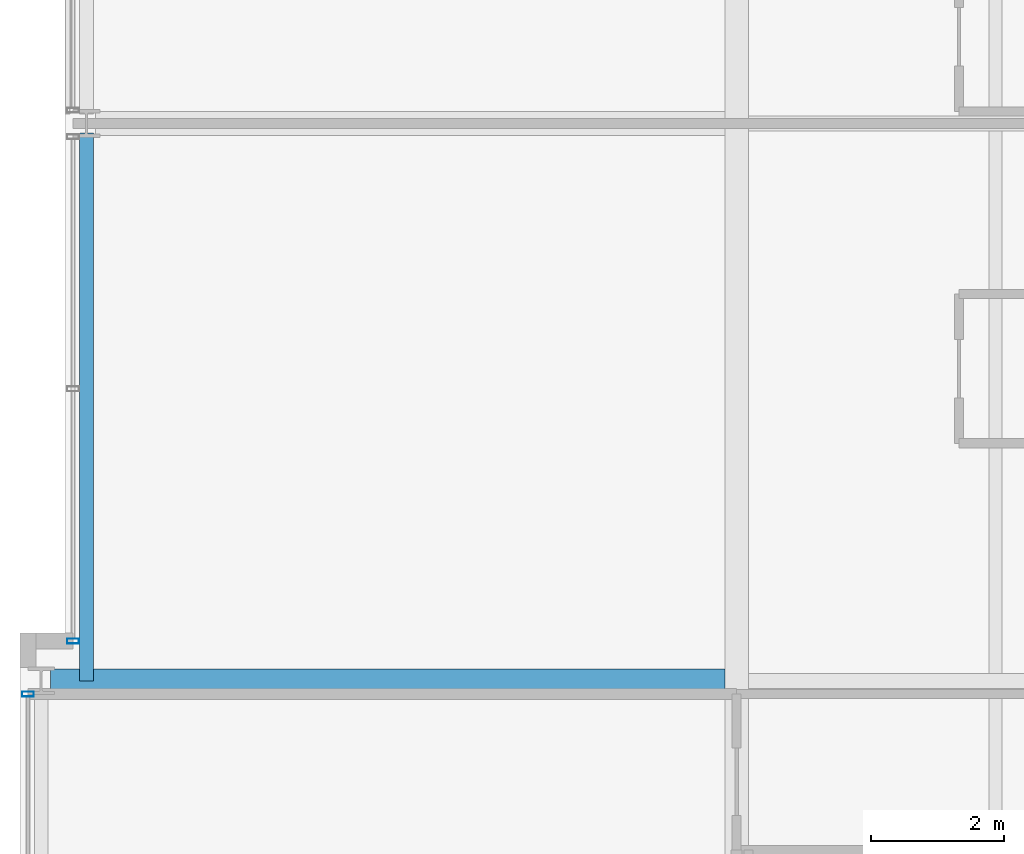
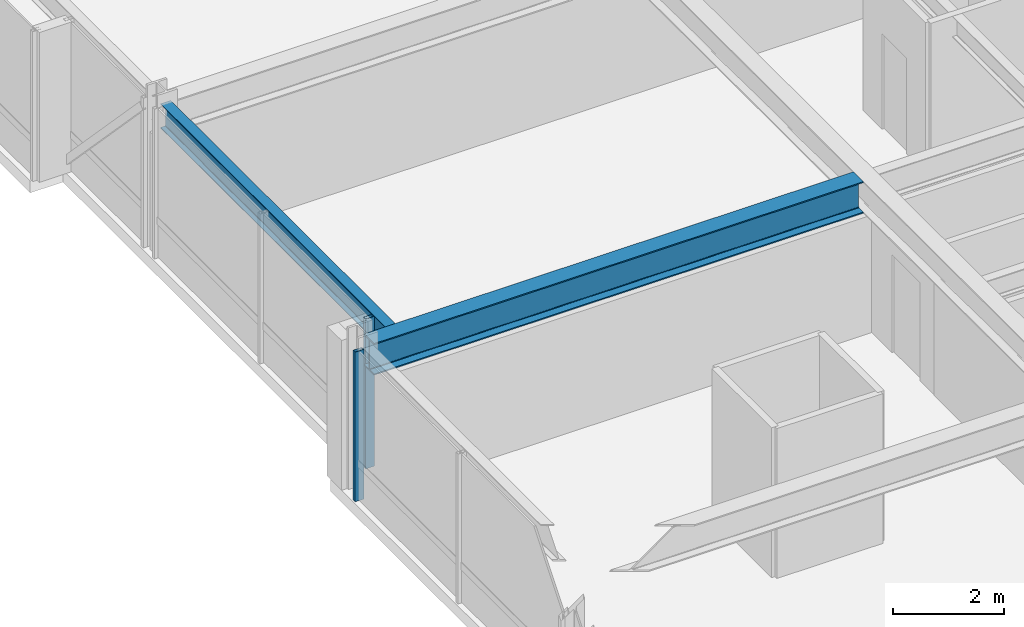
# One storey, part 7 of 33: 2 beams, 2 members, 2 elements without a shape of their own.
"""IFC4 building model written with IfcOpenShell, lengths in metres."""

from ifc_helpers import new_model, si_unit, direction, frame, origin, origin_2d, place, context, subcontext, project, spatial, hollow_rectangle, i_section, extrude, material, layer, layer_set, material_profile, profile_set, type_object, element, aggregate, save


model = new_model("IFC4")

# Units and contexts
model_context = context("Model", 3, precision=1e-05, world=origin(), true_north=direction((0.0, 1.0)))
body_context = subcontext(model_context, "Body", "Model", "MODEL_VIEW")
ifc_project = project(units=[si_unit("LENGTHUNIT", "METRE"), si_unit("AREAUNIT", "SQUARE_METRE"), si_unit("VOLUMEUNIT", "CUBIC_METRE"), si_unit("PLANEANGLEUNIT", "RADIAN"), si_unit("MASSUNIT", "GRAM", prefix="KILO")], contexts=[model_context])

# Site, building, storey
site_placement = place(None, origin())
site = spatial("IfcSite", under=ifc_project, at=site_placement, CompositionType="ELEMENT")
building_placement = place(site_placement, origin())
building = spatial("IfcBuilding", under=site, at=building_placement, Name="Drelvath Grand Hotel", CompositionType="ELEMENT")
storey_placement = place(building_placement, frame((0.0, 0.0, 153.949951171875)))
storey = spatial("IfcBuildingStorey", under=building, at=storey_placement, Name="L39", CompositionType="ELEMENT", Elevation=153.949951171875)

# Curtain wall, member
ifc_material_1 = material(Name="Brushed Pale-Silver Anodised Aluminium Frame", Category="aluminium")
ifc_layer = layer(ifc_material_1, 0.199951171875)
ifc_layer_set = layer_set([ifc_layer], Name="Brushed Pale-Silver Anodised Aluminium Frame")
curtain_wall_type = type_object("IfcCurtainWallType", Name="Stick Curtain Wall CW-04 Brushed Silver Upper-Mid", PredefinedType="NOTDEFINED", material=ifc_layer_set)
curtain_wall_1_placement = place(storey_placement, origin())
curtain_wall_1 = element("IfcCurtainWall", 1, at=curtain_wall_1_placement, inside=storey, type_object=curtain_wall_type, Name="L39 CW-04 Curtain Wall CW04-L39-WS2", PredefinedType="NOTDEFINED")
ifc_material_profile_1 = material_profile(ifc_material_1, hollow_rectangle(XDim=0.074951171875, YDim=0.179931640625, WallThickness=0.0048828125, at=origin_2d()), Name="HSS180X75X5")
ifc_profile_set_1 = profile_set([ifc_material_profile_1], Name="Brushed Pale-Silver Anodised Aluminium Frame")
member_type = type_object("IfcMemberType", Name="Curtain Wall Vertical Mullion CW-04 HSS180X75X5", PredefinedType="MULLION", material=ifc_profile_set_1)
member_1_placement = place(storey_placement, frame((-26.8798828125, 18.39990234375, 0.0), z_axis=(0.0, 0.0, 1.0), x_axis=(0.0, 1.0, 0.0)))
member_1 = element("IfcMember", 2, at=member_1_placement, type_object=member_type, Name="CW04-L39-WS2 Mullion 3", PredefinedType="MULLION", context=body_context, shape_type="SweptSolid", body=[
    extrude(hollow_rectangle(XDim=0.074951171875, YDim=0.179931640625, WallThickness=0.0048828125, at=origin_2d()), origin(), (0.0, 0.0, 1.0), 3.2900390625),
])
aggregate(curtain_wall_1, [member_1])

curtain_wall_2_placement = place(storey_placement, origin())
curtain_wall_2 = element("IfcCurtainWall", 3, at=curtain_wall_2_placement, inside=storey, type_object=curtain_wall_type, Name="L39 CW-04 Curtain Wall CW04-L39-WM1", PredefinedType="NOTDEFINED")
member_2_placement = place(storey_placement, frame((-26.199951171875, 19.199951171875, 0.0), z_axis=(0.0, 0.0, 1.0), x_axis=(0.0, 1.0, 0.0)))
member_2 = element("IfcMember", 4, at=member_2_placement, type_object=member_type, Name="CW04-L39-WM1 Mullion 1", PredefinedType="MULLION", context=body_context, shape_type="SweptSolid", body=[
    extrude(hollow_rectangle(XDim=0.074951171875, YDim=0.179931640625, WallThickness=0.0048828125, at=origin_2d()), origin(), (0.0, 0.0, 1.0), 3.2900390625),
])
aggregate(curtain_wall_2, [member_2])

# Beams
ifc_material_2 = material(Name="Steel ASTM A992 Gr 50", Category="steel")
ifc_material_profile_2 = material_profile(ifc_material_2, i_section(OverallWidth=0.210205078125, OverallDepth=0.53662109375, WebThickness=0.010986328125, FlangeThickness=0.017333984375, FilletRadius=0.01806640625, at=origin_2d()), Name="W21X68")
ifc_profile_set_2 = profile_set([ifc_material_profile_2], Name="Steel ASTM A992 Gr 50")
beam_type_1 = type_object("IfcBeamType", Name="Perimeter Spandrel Beam W21X68", PredefinedType="SPANDREL", material=ifc_profile_set_2)
beam_1_placement = place(storey_placement, frame((-26.0, 18.60009765625, 3.021728515625), z_axis=(0.0, 1.0, 0.0), x_axis=(-1.0, 0.0, 0.0)))
element("IfcBeam", 5, at=beam_1_placement, inside=storey, type_object=beam_type_1, Name="L39 Spandrel West Mid S", PredefinedType="SPANDREL", context=body_context, shape_type="SweptSolid", body=[
    extrude(i_section(OverallWidth=0.210205078125, OverallDepth=0.53662109375, WebThickness=0.010986328125, FlangeThickness=0.017333984375, FilletRadius=0.01806640625, at=origin_2d()), origin(), (0.0, 0.0, 1.0), 8.260009765625),
])
ifc_material_profile_3 = material_profile(ifc_material_2, i_section(OverallWidth=0.354736328125, OverallDepth=0.695556640625, WebThickness=0.015380859375, FlangeThickness=0.025146484375, FilletRadius=0.02392578125, at=origin_2d()), Name="W27X146")
ifc_profile_set_3 = profile_set([ifc_material_profile_3], Name="Steel ASTM A992 Gr 50")
beam_type_2 = type_object("IfcBeamType", Name="Primary Floor Girder W27X146", PredefinedType="BEAM", material=ifc_profile_set_3)
beam_2_placement = place(storey_placement, frame((-26.5400390625, 18.60009765625, 2.9423828125), z_axis=(1.0, 0.0, 0.0), x_axis=(0.0, 1.0, 0.0)))
element("IfcBeam", 6, at=beam_2_placement, inside=storey, type_object=beam_type_2, Name="L39 West Wing Girder D", PredefinedType="BEAM", context=body_context, shape_type="SweptSolid", body=[
    extrude(i_section(OverallWidth=0.354736328125, OverallDepth=0.695556640625, WebThickness=0.015380859375, FlangeThickness=0.025146484375, FilletRadius=0.02392578125, at=origin_2d()), origin(), (0.0, 0.0, 1.0), 10.16259765625),
])

save(model, "model.ifc")
